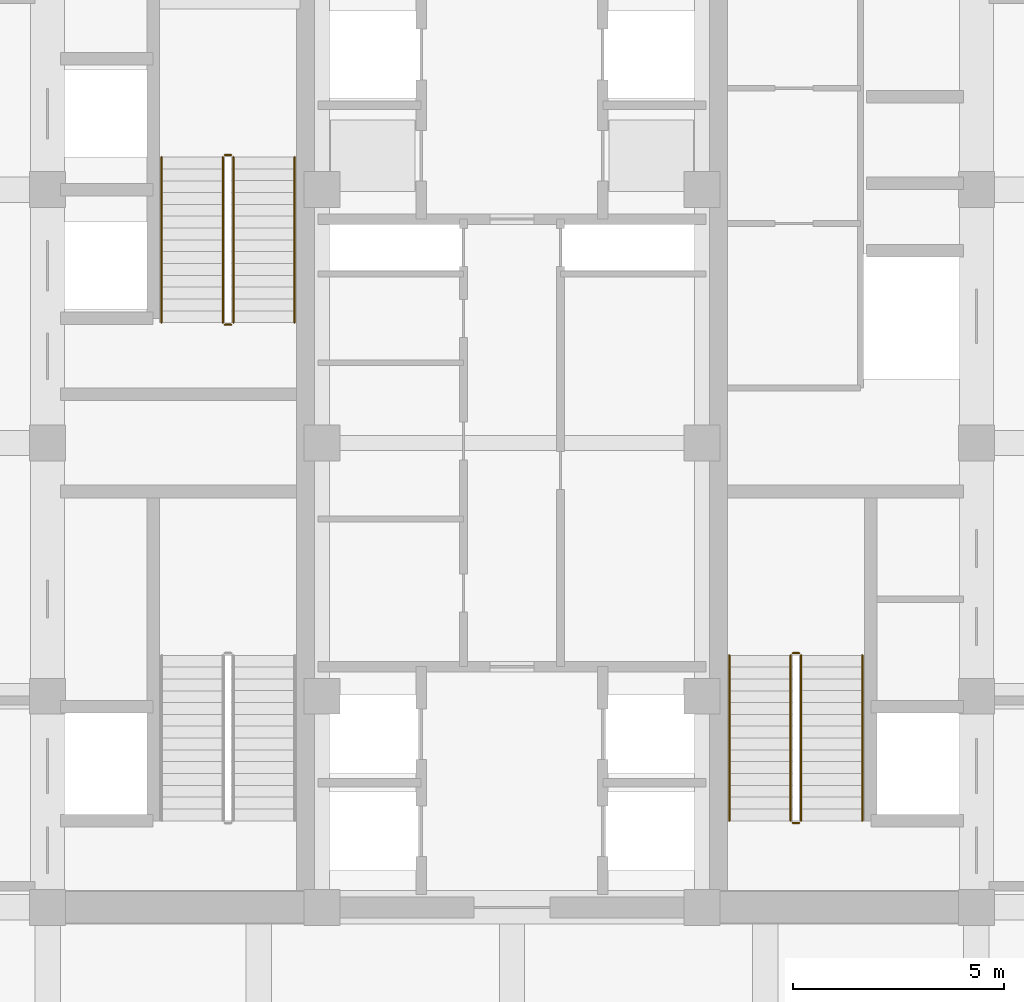
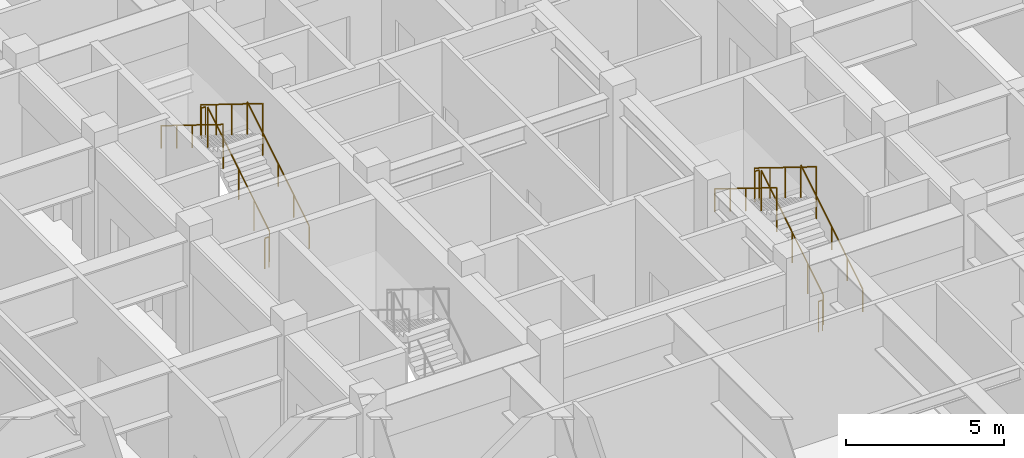
# One storey, part 32 of 34: 12 railings.
"""IFC4 building model written with IfcOpenShell, lengths in metres."""

from ifc_helpers import new_model, si_unit, direction, frame, origin, origin_2d, place, context, subcontext, project, spatial, circle, extrude, source, transform, mapped, material, type_object, element, save


model = new_model("IFC4")

# Units and contexts
model_context = context("Model", 3, precision=1e-05, world=origin(), true_north=direction((0.0, 1.0)))
body_context = subcontext(model_context, "Body", "Model", "MODEL_VIEW")
ifc_project = project(units=[si_unit("LENGTHUNIT", "METRE"), si_unit("AREAUNIT", "SQUARE_METRE"), si_unit("VOLUMEUNIT", "CUBIC_METRE"), si_unit("PLANEANGLEUNIT", "RADIAN"), si_unit("MASSUNIT", "GRAM", prefix="KILO")], contexts=[model_context])

# Site, building, storey
site_placement = place(None, origin())
site = spatial("IfcSite", under=ifc_project, at=site_placement, CompositionType="ELEMENT")
building_placement = place(site_placement, origin())
building = spatial("IfcBuilding", under=site, at=building_placement, Name="Khorayat Bourse Tower", CompositionType="ELEMENT")
storey_placement = place(building_placement, frame((0.0, 0.0, 144.699951171875)))
storey = spatial("IfcBuildingStorey", under=building, at=storey_placement, Name="L33", CompositionType="ELEMENT", Elevation=144.699951171875)

# Railings
ifc_material_1 = material(Name="Powder-coated steel balustrade", Category="steel")
railing_type_1 = type_object("IfcRailingType", Name="RLG-GUARD-1200", PredefinedType="GUARDRAIL", material=ifc_material_1)
shared_shape_1 = source(origin(), body_context, "Body", "SweptSolid", [
    extrude(circle(Radius=0.02392578125, at=origin_2d()), frame((0.0, 0.0, 1.17578125), z_axis=(-1.0, 0.0, 0.0), x_axis=(0.0, -1.0, 0.0)), (0.0, 0.0, 1.0), 0.150146484375),
    extrude(circle(Radius=0.02099609375, at=origin_2d()), origin(), (0.0, 0.0, 1.0), 1.15185546875),
    extrude(circle(Radius=0.02099609375, at=origin_2d()), frame((-0.150146484375, 0.0, 0.0)), (0.0, 0.0, 1.0), 1.15185546875),
])
for number, where, name in (
    (1, (-6.64990234375, 6.820068359375, 2.60009765625), "L33 ST-2 stair guard 2"),
    (2, (-6.64990234375, 2.800048828125, 0.0), "L33 ST-2 stair guard 4"),
    (3, (6.800048828125, -4.97998046875, 2.60009765625), "L33 ST-3 stair guard 2"),
    (4, (6.800048828125, -9.0, 0.0), "L33 ST-3 stair guard 4"),
):
    element("IfcRailing", number, at=place(storey_placement, frame(where)), inside=storey, type_object=railing_type_1, Name=name, PredefinedType="GUARDRAIL", context=body_context, shape_type="MappedRepresentation", body=[
        mapped(shared_shape_1, transform((0.0, 0.0, 0.0), scale=1.0)),
    ])
shared_shape_2 = source(origin(), body_context, "Body", "SweptSolid", [
    extrude(circle(Radius=0.02392578125, at=origin_2d()), frame((0.0, 0.0, 1.17578125), z_axis=(0.0, 0.850251603719, 0.526376491091), x_axis=(-1.0, 0.0, 0.0)), (0.0, 0.0, 1.0), 4.6103515625),
    extrude(circle(Radius=0.02099609375, at=origin_2d()), origin(), (0.0, 0.0, 1.0), 1.15185546875),
    extrude(circle(Radius=0.02099609375, at=origin_2d()), frame((0.0, 0.97998046875, 0.606689453125)), (0.0, 0.0, 1.0), 1.15185546875),
    extrude(circle(Radius=0.02099609375, at=origin_2d()), frame((0.0, 1.9599609375, 1.21337890625)), (0.0, 0.0, 1.0), 1.15185546875),
    extrude(circle(Radius=0.02099609375, at=origin_2d()), frame((0.0, 2.93994140625, 1.820068359375)), (0.0, 0.0, 1.0), 1.15185546875),
    extrude(circle(Radius=0.02099609375, at=origin_2d()), frame((0.0, 3.919921875, 2.4267578125)), (0.0, 0.0, 1.0), 1.15185546875),
])
for number, where, name in (
    (5, (-6.60009765625, 2.85009765625, 0.17333984375), "L33 ST-2 stair guard 1"),
    (6, (6.85009765625, -8.949951171875, 0.17333984375), "L33 ST-3 stair guard 1"),
):
    element("IfcRailing", number, at=place(storey_placement, frame(where)), inside=storey, type_object=railing_type_1, Name=name, PredefinedType="GUARDRAIL", context=body_context, shape_type="MappedRepresentation", body=[
        mapped(shared_shape_2, transform((0.0, 0.0, 0.0), scale=1.0)),
    ])
shared_shape_3 = source(origin(), body_context, "Body", "SweptSolid", [
    extrude(circle(Radius=0.02392578125, at=origin_2d()), frame((0.0, 0.0, 1.17578125), z_axis=(0.0, -0.850275303828, 0.526338206574), x_axis=(1.0, 0.0, 0.0)), (0.0, 0.0, 1.0), 4.610107421875),
    extrude(circle(Radius=0.02099609375, at=origin_2d()), origin(), (0.0, 0.0, 1.0), 1.15185546875),
    extrude(circle(Radius=0.02099609375, at=origin_2d()), frame((0.0, -0.97998046875, 0.606689453125)), (0.0, 0.0, 1.0), 1.15185546875),
    extrude(circle(Radius=0.02099609375, at=origin_2d()), frame((0.0, -1.9599609375, 1.21337890625)), (0.0, 0.0, 1.0), 1.15185546875),
    extrude(circle(Radius=0.02099609375, at=origin_2d()), frame((0.0, -2.93994140625, 1.81982421875)), (0.0, 0.0, 1.0), 1.15185546875),
    extrude(circle(Radius=0.02099609375, at=origin_2d()), frame((0.0, -3.919921875, 2.426513671875)), (0.0, 0.0, 1.0), 1.15185546875),
])
for number, where, name in (
    (7, (-6.85009765625, 6.77001953125, 2.7734375), "L33 ST-2 stair guard 3"),
    (8, (6.60009765625, -5.030029296875, 2.7734375), "L33 ST-3 stair guard 3"),
):
    element("IfcRailing", number, at=place(storey_placement, frame(where)), inside=storey, type_object=railing_type_1, Name=name, PredefinedType="GUARDRAIL", context=body_context, shape_type="MappedRepresentation", body=[
        mapped(shared_shape_3, transform((0.0, 0.0, 0.0), scale=1.0)),
    ])
ifc_material_2 = material(Name="Brushed bronze stainless-steel handrail", Category="steel")
railing_type_2 = type_object("IfcRailingType", Name="RLG-HAND-900", PredefinedType="HANDRAIL", material=ifc_material_2)
shared_shape_4 = source(origin(), body_context, "Body", "SweptSolid", [
    extrude(circle(Radius=0.02392578125, at=origin_2d()), frame((0.0, 0.0, 0.8759765625), z_axis=(0.0, 0.850251603719, 0.526376491091), x_axis=(-1.0, 0.0, 0.0)), (0.0, 0.0, 1.0), 4.6103515625),
    extrude(circle(Radius=0.02099609375, at=origin_2d()), origin(), (0.0, 0.0, 1.0), 0.851806640625),
    extrude(circle(Radius=0.02099609375, at=origin_2d()), frame((0.0, 0.97998046875, 0.606689453125)), (0.0, 0.0, 1.0), 0.851806640625),
    extrude(circle(Radius=0.02099609375, at=origin_2d()), frame((0.0, 1.9599609375, 1.21337890625)), (0.0, 0.0, 1.0), 0.851806640625),
    extrude(circle(Radius=0.02099609375, at=origin_2d()), frame((0.0, 2.93994140625, 1.820068359375)), (0.0, 0.0, 1.0), 0.851806640625),
    extrude(circle(Radius=0.02099609375, at=origin_2d()), frame((0.0, 3.919921875, 2.4267578125)), (0.0, 0.0, 1.0), 0.851806640625),
])
for number, where, name in (
    (9, (-5.14990234375, 2.85009765625, 0.17333984375), "L33 ST-2 stair handrail 1"),
    (10, (8.300048828125, -8.949951171875, 0.17333984375), "L33 ST-3 stair handrail 1"),
):
    element("IfcRailing", number, at=place(storey_placement, frame(where)), inside=storey, type_object=railing_type_2, Name=name, PredefinedType="HANDRAIL", context=body_context, shape_type="MappedRepresentation", body=[
        mapped(shared_shape_4, transform((0.0, 0.0, 0.0), scale=1.0)),
    ])
shared_shape_5 = source(origin(), body_context, "Body", "SweptSolid", [
    extrude(circle(Radius=0.02392578125, at=origin_2d()), frame((0.0, 0.0, 0.8759765625), z_axis=(0.0, -0.850275303828, 0.526338206574), x_axis=(1.0, 0.0, 0.0)), (0.0, 0.0, 1.0), 4.610107421875),
    extrude(circle(Radius=0.02099609375, at=origin_2d()), origin(), (0.0, 0.0, 1.0), 0.851806640625),
    extrude(circle(Radius=0.02099609375, at=origin_2d()), frame((0.0, -0.97998046875, 0.606689453125)), (0.0, 0.0, 1.0), 0.851806640625),
    extrude(circle(Radius=0.02099609375, at=origin_2d()), frame((0.0, -1.9599609375, 1.21337890625)), (0.0, 0.0, 1.0), 0.851806640625),
    extrude(circle(Radius=0.02099609375, at=origin_2d()), frame((0.0, -2.93994140625, 1.81982421875)), (0.0, 0.0, 1.0), 0.851806640625),
    extrude(circle(Radius=0.02099609375, at=origin_2d()), frame((0.0, -3.919921875, 2.426513671875)), (0.0, 0.0, 1.0), 0.851806640625),
])
for number, where, name in (
    (11, (-8.300048828125, 6.77001953125, 2.7734375), "L33 ST-2 stair handrail 2"),
    (12, (5.14990234375, -5.030029296875, 2.7734375), "L33 ST-3 stair handrail 2"),
):
    element("IfcRailing", number, at=place(storey_placement, frame(where)), inside=storey, type_object=railing_type_2, Name=name, PredefinedType="HANDRAIL", context=body_context, shape_type="MappedRepresentation", body=[
        mapped(shared_shape_5, transform((0.0, 0.0, 0.0), scale=1.0)),
    ])

save(model, "model.ifc")
